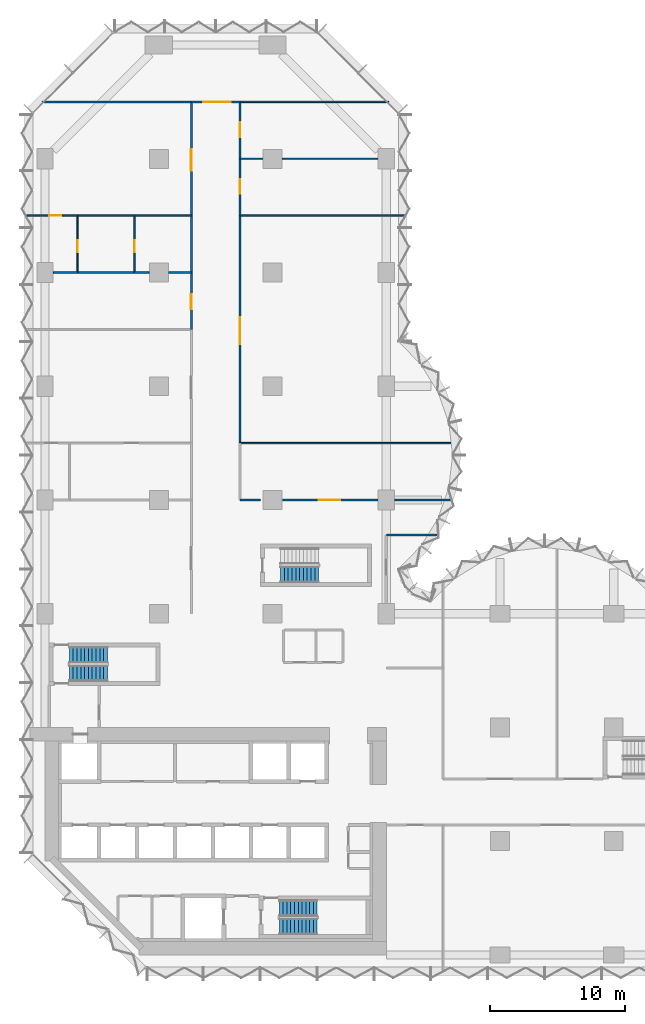
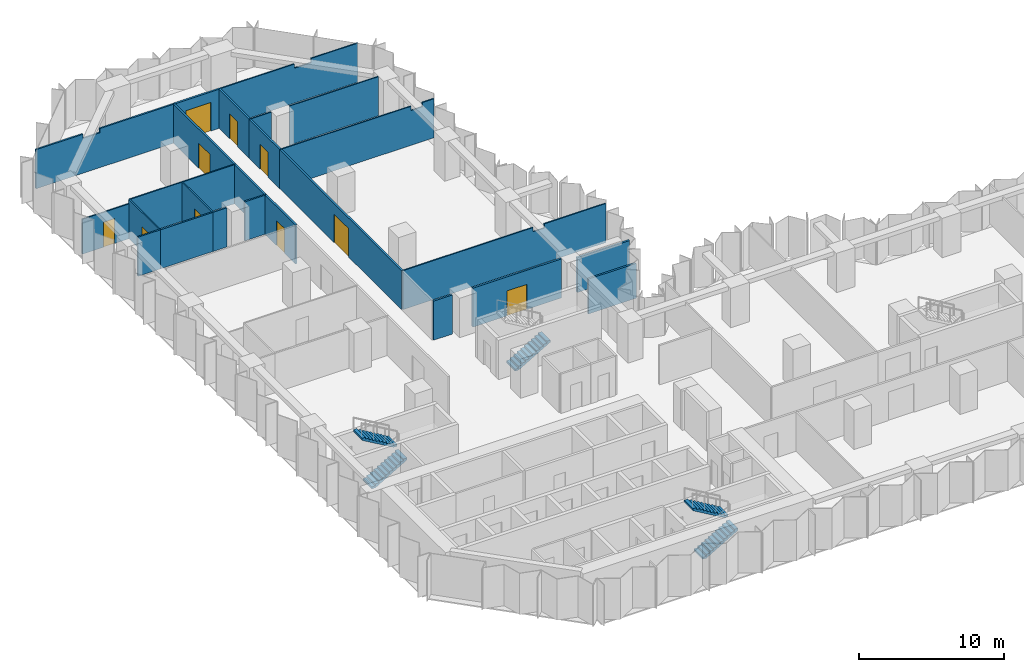
# One storey, part 11 of 15: 26 walls, 10 doors, 5 stair flights, 10 openings, 3 elements without a shape of their own.
"""IFC4 building model written with IfcOpenShell, lengths in metres."""

from ifc_helpers import new_model, si_unit, direction, frame, frame_2d, origin, place, context, subcontext, project, spatial, polyline, rectangle, outline, extrude, material, layer, layer_set, type_object, element, fill, aggregate, save


model = new_model("IFC4")

# Units and contexts
model_context = context("Model", 3, precision=1e-05, world=origin(), true_north=direction((0.0, 1.0)))
body_context = subcontext(model_context, "Body", "Model", "MODEL_VIEW")
ifc_project = project(units=[si_unit("LENGTHUNIT", "METRE"), si_unit("AREAUNIT", "SQUARE_METRE"), si_unit("VOLUMEUNIT", "CUBIC_METRE"), si_unit("PLANEANGLEUNIT", "RADIAN"), si_unit("MASSUNIT", "GRAM", prefix="KILO")], contexts=[model_context])

# Site, building, storey
site_placement = place(None, origin())
site = spatial("IfcSite", under=ifc_project, at=site_placement, CompositionType="ELEMENT")
building_placement = place(site_placement, origin())
building = spatial("IfcBuilding", under=site, at=building_placement, Name="Brevane Broadcast Tower", CompositionType="ELEMENT")
storey_placement = place(building_placement, frame((0.0, 0.0, 83.300048828125)))
storey = spatial("IfcBuildingStorey", under=building, at=storey_placement, Name="L19", CompositionType="ELEMENT", Elevation=83.300048828125)

# Wall
ifc_material_1 = material(Name="Gypsum board partition")
ifc_layer_1 = layer(ifc_material_1, 0.10009765625)
ifc_layer_set_1 = layer_set([ifc_layer_1], Name="PARTITION 100 STUD")
wall_type_1 = type_object("IfcWallType", Name="PARTITION 100 STUD", PredefinedType="PARTITIONING", material=ifc_layer_set_1)
wall_1_placement = place(storey_placement, frame((25.39990234375, 63.0, 0.0), z_axis=(0.0, 0.0, 1.0), x_axis=(-1.0, 0.0, 0.0)))
element("IfcWall", 1, at=wall_1_placement, inside=storey, type_object=wall_type_1, Name="Partition G05-040", PredefinedType="PARTITIONING", context=body_context, shape_type="SweptSolid", body=[
    extrude(outline(polyline([(0.0, 0.0), (11.0, 0.0), (11.0, 3.280029296875), (5.065673828125, 3.280029296875), (5.063720703125, 2.929931640625), (3.736328125, 2.929931640625), (3.734375, 3.280029296875), (0.0, 3.280029296875), (0.0, 0.0)])), frame((0.0, 0.050048828125, 0.0), z_axis=(0.0, -1.0, 0.0), x_axis=(1.0, 0.0, 0.0)), (0.0, 0.0, 1.0), 0.10009765625),
])

# Wall, opening, door
wall_2_placement = place(storey_placement, frame((2.39990234375, 54.60009765625, 0.0), z_axis=(0.0, 0.0, 1.0), x_axis=(-1.0, 0.0, 0.0)))
wall_2 = element("IfcWall", 2, at=wall_2_placement, inside=storey, type_object=wall_type_1, Name="Partition G05-052", PredefinedType="PARTITIONING", context=body_context, shape_type="SweptSolid", body=[
    extrude(rectangle(XDim=3.764892578125, YDim=0.10009765625, at=frame_2d((1.88232421875, 0.0))), origin(), (0.0, 0.0, 1.0), 2.929931640625),
])
opening_1_placement = place(wall_2_placement, frame((1.199951171875, 0.0, 0.0)))
opening_1 = element("IfcOpeningElement", 3, at=opening_1_placement, cuts=wall_2, Name="Opening D11-018", PredefinedType="OPENING", context=body_context, shape_type="SweptSolid", body=[
    extrude(rectangle(XDim=0.89990234375, YDim=2.10009765625, at=frame_2d((0.449951171875, 1.050048828125))), frame((0.0, 0.06005859375, 0.0), z_axis=(0.0, -1.0, 0.0), x_axis=(1.0, 0.0, 0.0)), (0.0, 0.0, 1.0), 0.1201171875),
])
ifc_material_2 = material(Name="Timber door leaf", Category="wood")
door_type_1 = type_object("IfcDoorType", Name="DOOR SINGLE 900 INTERNAL", OperationType="SINGLE_SWING_LEFT", PredefinedType="DOOR", material=ifc_material_2)
door_1_placement = place(opening_1_placement, origin())
door_1 = element("IfcDoor", 4, at=door_1_placement, inside=storey, type_object=door_type_1, Name="Door D11-018", OperationType="SINGLE_SWING_LEFT", OverallHeight=2.10009765625, OverallWidth=0.89990234375, PredefinedType="DOOR", context=body_context, shape_type="SweptSolid", body=[
    extrude(rectangle(XDim=0.89990234375, YDim=2.10009765625, at=frame_2d((0.449951171875, 1.050048828125))), frame((0.0, 0.02490234375, 0.0), z_axis=(0.0, -1.0, 0.0), x_axis=(1.0, 0.0, 0.0)), (0.0, 0.0, 1.0), 0.050048828125),
])
fill(opening_1, door_1)

# Walls
wall_3_placement = place(storey_placement, frame((6.60009765625, 54.60009765625, 0.0), z_axis=(0.0, 0.0, 1.0), x_axis=(-1.0, 0.0, 0.0)))
element("IfcWall", 5, at=wall_3_placement, inside=storey, type_object=wall_type_1, Name="Partition G05-053", PredefinedType="PARTITIONING", context=body_context, shape_type="SweptSolid", body=[
    extrude(rectangle(XDim=4.2001953125, YDim=0.10009765625, at=frame_2d((2.10009765625, 0.0))), origin(), (0.0, 0.0, 1.0), 3.280029296875),
])
wall_4_placement = place(storey_placement, frame((10.800048828125, 54.60009765625, 0.0), z_axis=(0.0, 0.0, 1.0), x_axis=(-1.0, 0.0, 0.0)))
element("IfcWall", 6, at=wall_4_placement, inside=storey, type_object=wall_type_1, Name="Partition G05-054", PredefinedType="PARTITIONING", context=body_context, shape_type="SweptSolid", body=[
    extrude(rectangle(XDim=4.199951171875, YDim=0.10009765625, at=frame_2d((2.10009765625, 0.0))), origin(), (0.0, 0.0, 1.0), 3.280029296875),
])

# Wall, opening, door
wall_5_placement = place(storey_placement, frame((2.39990234375, 54.60009765625, 0.0), z_axis=(0.0, 0.0, 1.0), x_axis=(0.0, -1.0, 0.0)))
wall_5 = element("IfcWall", 7, at=wall_5_placement, inside=storey, type_object=wall_type_1, Name="Partition G05-055", PredefinedType="PARTITIONING", context=body_context, shape_type="SweptSolid", body=[
    extrude(rectangle(XDim=4.2001953125, YDim=0.10009765625, at=frame_2d((2.10009765625, 0.0))), origin(), (0.0, 0.0, 1.0), 3.280029296875),
])
opening_2_placement = place(wall_5_placement, frame((1.800048828125, 0.0, 0.0)))
opening_2 = element("IfcOpeningElement", 8, at=opening_2_placement, cuts=wall_5, Name="Opening D11-019", PredefinedType="OPENING", context=body_context, shape_type="SweptSolid", body=[
    extrude(rectangle(XDim=0.89990234375, YDim=2.10009765625, at=frame_2d((0.449951171875, 1.050048828125))), frame((0.0, 0.06005859375, 0.0), z_axis=(0.0, -1.0, 0.0), x_axis=(1.0, 0.0, 0.0)), (0.0, 0.0, 1.0), 0.1201171875),
])
door_2_placement = place(opening_2_placement, origin())
door_2 = element("IfcDoor", 9, at=door_2_placement, inside=storey, type_object=door_type_1, Name="Door D11-019", OperationType="SINGLE_SWING_LEFT", OverallHeight=2.10009765625, OverallWidth=0.89990234375, PredefinedType="DOOR", context=body_context, shape_type="SweptSolid", body=[
    extrude(rectangle(XDim=0.89990234375, YDim=2.10009765625, at=frame_2d((0.449951171875, 1.050048828125))), frame((0.0, 0.02490234375, 0.0), z_axis=(0.0, -1.0, 0.0), x_axis=(1.0, 0.0, 0.0)), (0.0, 0.0, 1.0), 0.050048828125),
])
fill(opening_2, door_2)

wall_6_placement = place(storey_placement, frame((6.60009765625, 54.60009765625, 0.0), z_axis=(0.0, 0.0, 1.0), x_axis=(0.0, -1.0, 0.0)))
wall_6 = element("IfcWall", 10, at=wall_6_placement, inside=storey, type_object=wall_type_1, Name="Partition G05-056", PredefinedType="PARTITIONING", context=body_context, shape_type="SweptSolid", body=[
    extrude(rectangle(XDim=4.2001953125, YDim=0.10009765625, at=frame_2d((2.10009765625, 0.0))), origin(), (0.0, 0.0, 1.0), 3.280029296875),
])
opening_3_placement = place(wall_6_placement, frame((1.800048828125, 0.0, 0.0)))
opening_3 = element("IfcOpeningElement", 11, at=opening_3_placement, cuts=wall_6, Name="Opening D11-020", PredefinedType="OPENING", context=body_context, shape_type="SweptSolid", body=[
    extrude(rectangle(XDim=0.89990234375, YDim=2.10009765625, at=frame_2d((0.449951171875, 1.050048828125))), frame((0.0, 0.06005859375, 0.0), z_axis=(0.0, -1.0, 0.0), x_axis=(1.0, 0.0, 0.0)), (0.0, 0.0, 1.0), 0.1201171875),
])
door_3_placement = place(opening_3_placement, origin())
door_3 = element("IfcDoor", 12, at=door_3_placement, inside=storey, type_object=door_type_1, Name="Door D11-020", OperationType="SINGLE_SWING_LEFT", OverallHeight=2.10009765625, OverallWidth=0.89990234375, PredefinedType="DOOR", context=body_context, shape_type="SweptSolid", body=[
    extrude(rectangle(XDim=0.89990234375, YDim=2.10009765625, at=frame_2d((0.449951171875, 1.050048828125))), frame((0.0, 0.02490234375, 0.0), z_axis=(0.0, -1.0, 0.0), x_axis=(1.0, 0.0, 0.0)), (0.0, 0.0, 1.0), 0.050048828125),
])
fill(opening_3, door_3)

# Walls
wall_7_placement = place(storey_placement, frame((14.39990234375, 37.800048828125, 0.0), z_axis=(0.0, 0.0, 1.0), x_axis=(1.0, 0.0, 0.0)))
element("IfcWall", 13, at=wall_7_placement, inside=storey, type_object=wall_type_1, Name="Partition G05-057", PredefinedType="PARTITIONING", context=body_context, shape_type="SweptSolid", body=[
    extrude(outline(polyline([(0.0, 0.0), (16.1259765625, 0.0), (16.1259765625, 3.280029296875), (15.8427734375, 3.280029296875), (11.25, 3.280029296875), (11.248046875, 2.929931640625), (10.35205078125, 2.929931640625), (10.35009765625, 3.280029296875), (0.0, 3.280029296875), (0.0, 0.0)])), frame((0.0, 0.050048828125, 0.0), z_axis=(0.0, -1.0, 0.0), x_axis=(1.0, 0.0, 0.0)), (0.0, 0.0, 1.0), 0.10009765625),
])
wall_8_placement = place(storey_placement, frame((14.39990234375, 54.60009765625, 0.0), z_axis=(0.0, 0.0, 1.0), x_axis=(1.0, 0.0, 0.0)))
element("IfcWall", 14, at=wall_8_placement, inside=storey, type_object=wall_type_1, Name="Partition G05-058", PredefinedType="PARTITIONING", context=body_context, shape_type="SweptSolid", body=[
    extrude(outline(polyline([(0.0, 0.0), (12.1650390625, 0.0), (12.1650390625, 3.280029296875), (11.89990234375, 3.280029296875), (11.25, 3.280029296875), (11.248046875, 2.929931640625), (10.35205078125, 2.929931640625), (10.35009765625, 3.280029296875), (0.0, 3.280029296875), (0.0, 0.0)])), frame((0.0, 0.050048828125, 0.0), z_axis=(0.0, -1.0, 0.0), x_axis=(1.0, 0.0, 0.0)), (0.0, 0.0, 1.0), 0.10009765625),
])
wall_9_placement = place(storey_placement, frame((14.39990234375, 58.800048828125, 0.0), z_axis=(0.0, 0.0, 1.0), x_axis=(1.0, 0.0, 0.0)))
element("IfcWall", 15, at=wall_9_placement, inside=storey, type_object=wall_type_1, Name="Partition G05-059", PredefinedType="PARTITIONING", context=body_context, shape_type="SweptSolid", body=[
    extrude(rectangle(XDim=1.68017578125, YDim=0.10009765625, at=frame_2d((0.840087890625, 0.0))), origin(), (0.0, 0.0, 1.0), 3.280029296875),
])
wall_10_placement = place(storey_placement, frame((17.52001953125, 58.800048828125, 0.0), z_axis=(0.0, 0.0, 1.0), x_axis=(1.0, 0.0, 0.0)))
element("IfcWall", 16, at=wall_10_placement, inside=storey, type_object=wall_type_1, Name="Partition G05-060", PredefinedType="PARTITIONING", context=body_context, shape_type="SweptSolid", body=[
    extrude(rectangle(XDim=7.06005859375, YDim=0.10009765625, at=frame_2d((3.530029296875, 0.0))), origin(), (0.0, 0.0, 1.0), 3.280029296875),
])
ifc_layer_2 = layer(ifc_material_1, 0.125)
ifc_layer_set_2 = layer_set([ifc_layer_2], Name="PARTITION 125 ACOUSTIC")
wall_type_2 = type_object("IfcWallType", Name="PARTITION 125 ACOUSTIC", PredefinedType="PARTITIONING", material=ifc_layer_set_2)
wall_11_placement = place(storey_placement, frame((10.800048828125, 63.0, 0.0), z_axis=(0.0, 0.0, 1.0), x_axis=(-1.0, 0.0, 0.0)))
element("IfcWall", 17, at=wall_11_placement, inside=storey, type_object=wall_type_2, Name="Partition G05-039", PredefinedType="PARTITIONING", context=body_context, shape_type="SweptSolid", body=[
    extrude(outline(polyline([(0.0, 0.0), (11.0, 0.0), (11.0, 3.280029296875), (7.278076171875, 3.280029296875), (7.276123046875, 2.929931640625), (5.923828125, 2.929931640625), (5.921875, 3.280029296875), (0.0, 3.280029296875), (0.0, 0.0)])), frame((0.0, 0.0625, 0.0), z_axis=(0.0, -1.0, 0.0), x_axis=(1.0, 0.0, 0.0)), (0.0, 0.0, 1.0), 0.125),
])
wall_12_placement = place(storey_placement, frame((0.6201171875, 50.39990234375, 0.0), z_axis=(0.0, 0.0, 1.0), x_axis=(1.0, 0.0, 0.0)))
element("IfcWall", 18, at=wall_12_placement, inside=storey, type_object=wall_type_2, Name="Partition G05-048", PredefinedType="PARTITIONING", context=body_context, shape_type="SweptSolid", body=[
    extrude(rectangle(XDim=1.77978515625, YDim=0.125, at=frame_2d((0.889892578125, 0.0))), origin(), (0.0, 0.0, 1.0), 3.280029296875),
])
wall_13_placement = place(storey_placement, frame((2.39990234375, 50.39990234375, 0.0), z_axis=(0.0, 0.0, 1.0), x_axis=(1.0, 0.0, 0.0)))
element("IfcWall", 19, at=wall_13_placement, inside=storey, type_object=wall_type_2, Name="Partition G05-049", PredefinedType="PARTITIONING", context=body_context, shape_type="SweptSolid", body=[
    extrude(rectangle(XDim=4.2001953125, YDim=0.125, at=frame_2d((2.10009765625, 0.0))), origin(), (0.0, 0.0, 1.0), 3.280029296875),
])
wall_14_placement = place(storey_placement, frame((6.60009765625, 50.39990234375, 0.0), z_axis=(0.0, 0.0, 1.0), x_axis=(1.0, 0.0, 0.0)))
element("IfcWall", 20, at=wall_14_placement, inside=storey, type_object=wall_type_2, Name="Partition G05-050", PredefinedType="PARTITIONING", context=body_context, shape_type="SweptSolid", body=[
    extrude(rectangle(XDim=1.079833984375, YDim=0.125, at=frame_2d((0.5400390625, 0.0))), origin(), (0.0, 0.0, 1.0), 3.280029296875),
])
wall_15_placement = place(storey_placement, frame((9.1201171875, 50.39990234375, 0.0), z_axis=(0.0, 0.0, 1.0), x_axis=(1.0, 0.0, 0.0)))
element("IfcWall", 21, at=wall_15_placement, inside=storey, type_object=wall_type_2, Name="Partition G05-051", PredefinedType="PARTITIONING", context=body_context, shape_type="SweptSolid", body=[
    extrude(rectangle(XDim=1.679931640625, YDim=0.125, at=frame_2d((0.83984375, 0.0))), origin(), (0.0, 0.0, 1.0), 3.280029296875),
])
ifc_layer_3 = layer(ifc_material_1, 0.14990234375)
ifc_layer_set_3 = layer_set([ifc_layer_3], Name="PARTITION 150 EI 60")
wall_type_3 = type_object("IfcWallType", Name="PARTITION 150 EI 60", PredefinedType="PARTITIONING", material=ifc_layer_set_3)
wall_16_placement = place(storey_placement, frame((25.199951171875, 31.0, 0.0), z_axis=(0.0, 0.0, 1.0), x_axis=(1.0, 0.0, 0.0)))
element("IfcWall", 22, at=wall_16_placement, inside=storey, type_object=wall_type_3, Name="Partition G05-006", PredefinedType="PARTITIONING", context=body_context, shape_type="SweptSolid", body=[
    extrude(rectangle(XDim=3.80615234375, YDim=0.14990234375, at=frame_2d((1.903076171875, 0.0))), origin(), (0.0, 0.0, 1.0), 2.929931640625),
])
wall_17_placement = place(storey_placement, frame((14.39990234375, 33.60009765625, 0.0), z_axis=(0.0, 0.0, 1.0), x_axis=(1.0, 0.0, 0.0)))
element("IfcWall", 23, at=wall_17_placement, inside=storey, type_object=wall_type_3, Name="Partition G05-026", PredefinedType="PARTITIONING", context=body_context, shape_type="SweptSolid", body=[
    extrude(rectangle(XDim=1.5, YDim=0.14990234375, at=frame_2d((0.75, 0.0))), origin(), (0.0, 0.0, 1.0), 3.280029296875),
])

# Wall, opening, door
wall_18_placement = place(storey_placement, frame((17.52001953125, 33.60009765625, 0.0), z_axis=(0.0, 0.0, 1.0), x_axis=(1.0, 0.0, 0.0)))
wall_18 = element("IfcWall", 24, at=wall_18_placement, inside=storey, type_object=wall_type_3, Name="Partition G05-027", PredefinedType="PARTITIONING", context=body_context, shape_type="SweptSolid", body=[
    extrude(rectangle(XDim=7.06005859375, YDim=0.14990234375, at=frame_2d((3.530029296875, 0.0))), origin(), (0.0, 0.0, 1.0), 3.280029296875),
])
opening_4_placement = place(wall_18_placement, frame((2.699951171875, 0.0, 0.0)))
opening_4 = element("IfcOpeningElement", 25, at=opening_4_placement, cuts=wall_18, Name="Opening D11-021", PredefinedType="OPENING", context=body_context, shape_type="SweptSolid", body=[
    extrude(rectangle(XDim=1.60009765625, YDim=2.10009765625, at=frame_2d((0.800048828125, 1.050048828125))), frame((0.0, 0.0849609375, 0.0), z_axis=(0.0, -1.0, 0.0), x_axis=(1.0, 0.0, 0.0)), (0.0, 0.0, 1.0), 0.169921875),
])
ifc_material_3 = material(Name="Fire-rated timber door leaf", Category="wood")
door_type_2 = type_object("IfcDoorType", Name="DOOR DOUBLE 1600 FD30S", OperationType="DOUBLE_DOOR_SINGLE_SWING", PredefinedType="DOOR", material=ifc_material_3)
door_4_placement = place(opening_4_placement, origin())
door_4 = element("IfcDoor", 26, at=door_4_placement, inside=storey, type_object=door_type_2, Name="Door D11-021", OperationType="DOUBLE_DOOR_SINGLE_SWING", OverallHeight=2.10009765625, OverallWidth=1.60009765625, PredefinedType="DOOR", context=body_context, shape_type="SweptSolid", body=[
    extrude(rectangle(XDim=1.60009765625, YDim=2.10009765625, at=frame_2d((0.800048828125, 1.050048828125))), frame((0.0, 0.02490234375, 0.0), z_axis=(0.0, -1.0, 0.0), x_axis=(1.0, 0.0, 0.0)), (0.0, 0.0, 1.0), 0.050048828125),
])
fill(opening_4, door_4)

# Wall
wall_19_placement = place(storey_placement, frame((25.820068359375, 33.60009765625, 0.0), z_axis=(0.0, 0.0, 1.0), x_axis=(1.0, 0.0, 0.0)))
element("IfcWall", 27, at=wall_19_placement, inside=storey, type_object=wall_type_3, Name="Partition G05-028", PredefinedType="PARTITIONING", context=body_context, shape_type="SweptSolid", body=[
    extrude(rectangle(XDim=4.168212890625, YDim=0.14990234375, at=frame_2d((2.083984375, 0.0))), origin(), (0.0, 0.0, 1.0), 2.929931640625),
])

# Wall, opening, door
wall_20_placement = place(storey_placement, frame((10.800048828125, 63.0, 0.0), z_axis=(0.0, 0.0, 1.0), x_axis=(1.0, 0.0, 0.0)))
wall_20 = element("IfcWall", 28, at=wall_20_placement, inside=storey, type_object=wall_type_3, Name="Partition G05-029", PredefinedType="PARTITIONING", context=body_context, shape_type="SweptSolid", body=[
    extrude(rectangle(XDim=3.599853515625, YDim=0.14990234375, at=frame_2d((1.7998046875, 0.0))), origin(), (0.0, 0.0, 1.0), 3.280029296875),
])
opening_5_placement = place(wall_20_placement, frame((0.89990234375, 0.0, 0.0)))
opening_5 = element("IfcOpeningElement", 29, at=opening_5_placement, cuts=wall_20, Name="Opening D11-011", PredefinedType="OPENING", context=body_context, shape_type="SweptSolid", body=[
    extrude(rectangle(XDim=2.0, YDim=2.39990234375, at=frame_2d((1.0, 1.199951171875))), frame((0.0, 0.0849609375, 0.0), z_axis=(0.0, -1.0, 0.0), x_axis=(1.0, 0.0, 0.0)), (0.0, 0.0, 1.0), 0.169921875),
])
door_type_3 = type_object("IfcDoorType", Name="DOOR DOUBLE 2000 FD30S", OperationType="DOUBLE_DOOR_SINGLE_SWING", PredefinedType="DOOR", material=ifc_material_3)
door_5_placement = place(opening_5_placement, origin())
door_5 = element("IfcDoor", 30, at=door_5_placement, inside=storey, type_object=door_type_3, Name="Door D11-011", OperationType="DOUBLE_DOOR_SINGLE_SWING", OverallHeight=2.39990234375, OverallWidth=2.0, PredefinedType="DOOR", context=body_context, shape_type="SweptSolid", body=[
    extrude(rectangle(XDim=2.0, YDim=2.39990234375, at=frame_2d((1.0, 1.199951171875))), frame((0.0, 0.02490234375, 0.0), z_axis=(0.0, -1.0, 0.0), x_axis=(1.0, 0.0, 0.0)), (0.0, 0.0, 1.0), 0.050048828125),
])
fill(opening_5, door_5)

wall_21_placement = place(storey_placement, frame((10.800048828125, 46.199951171875, 0.0), z_axis=(0.0, 0.0, 1.0), x_axis=(0.0, 1.0, 0.0)))
wall_21 = element("IfcWall", 31, at=wall_21_placement, inside=storey, type_object=wall_type_3, Name="Partition G05-032", PredefinedType="PARTITIONING", context=body_context, shape_type="SweptSolid", body=[
    extrude(rectangle(XDim=4.199951171875, YDim=0.14990234375, at=frame_2d((2.10009765625, 0.0))), origin(), (0.0, 0.0, 1.0), 3.280029296875),
])
opening_6_placement = place(wall_21_placement, frame((1.5, 0.0, 0.0)))
opening_6 = element("IfcOpeningElement", 32, at=opening_6_placement, cuts=wall_21, Name="Opening D11-016", PredefinedType="OPENING", context=body_context, shape_type="SweptSolid", body=[
    extrude(rectangle(XDim=1.10009765625, YDim=2.10009765625, at=frame_2d((0.550048828125, 1.050048828125))), frame((0.0, 0.0849609375, 0.0), z_axis=(0.0, -1.0, 0.0), x_axis=(1.0, 0.0, 0.0)), (0.0, 0.0, 1.0), 0.169921875),
])
door_type_4 = type_object("IfcDoorType", Name="DOOR SINGLE 1100 FD30S", OperationType="SINGLE_SWING_LEFT", PredefinedType="DOOR", material=ifc_material_3)
door_6_placement = place(opening_6_placement, origin())
door_6 = element("IfcDoor", 33, at=door_6_placement, inside=storey, type_object=door_type_4, Name="Door D11-016", OperationType="SINGLE_SWING_LEFT", OverallHeight=2.10009765625, OverallWidth=1.10009765625, PredefinedType="DOOR", context=body_context, shape_type="SweptSolid", body=[
    extrude(rectangle(XDim=1.10009765625, YDim=2.10009765625, at=frame_2d((0.550048828125, 1.050048828125))), frame((0.0, 0.02490234375, 0.0), z_axis=(0.0, -1.0, 0.0), x_axis=(1.0, 0.0, 0.0)), (0.0, 0.0, 1.0), 0.050048828125),
])
fill(opening_6, door_6)

wall_22_placement = place(storey_placement, frame((10.800048828125, 54.60009765625, 0.0), z_axis=(0.0, 0.0, 1.0), x_axis=(0.0, 1.0, 0.0)))
wall_22 = element("IfcWall", 34, at=wall_22_placement, inside=storey, type_object=wall_type_3, Name="Partition G05-033", PredefinedType="PARTITIONING", context=body_context, shape_type="SweptSolid", body=[
    extrude(rectangle(XDim=8.39990234375, YDim=0.14990234375, at=frame_2d((4.199951171875, 0.0))), origin(), (0.0, 0.0, 1.0), 3.280029296875),
])
opening_7_placement = place(wall_22_placement, frame((3.300048828125, 0.0, 0.0)))
opening_7 = element("IfcOpeningElement", 35, at=opening_7_placement, cuts=wall_22, Name="Opening D11-017", PredefinedType="OPENING", context=body_context, shape_type="SweptSolid", body=[
    extrude(rectangle(XDim=1.60009765625, YDim=2.10009765625, at=frame_2d((0.800048828125, 1.050048828125))), frame((0.0, 0.0849609375, 0.0), z_axis=(0.0, -1.0, 0.0), x_axis=(1.0, 0.0, 0.0)), (0.0, 0.0, 1.0), 0.169921875),
])
door_7_placement = place(opening_7_placement, origin())
door_7 = element("IfcDoor", 36, at=door_7_placement, inside=storey, type_object=door_type_2, Name="Door D11-017", OperationType="DOUBLE_DOOR_SINGLE_SWING", OverallHeight=2.10009765625, OverallWidth=1.60009765625, PredefinedType="DOOR", context=body_context, shape_type="SweptSolid", body=[
    extrude(rectangle(XDim=1.60009765625, YDim=2.10009765625, at=frame_2d((0.800048828125, 1.050048828125))), frame((0.0, 0.02490234375, 0.0), z_axis=(0.0, -1.0, 0.0), x_axis=(1.0, 0.0, 0.0)), (0.0, 0.0, 1.0), 0.050048828125),
])
fill(opening_7, door_7)

# Wall
wall_23_placement = place(storey_placement, frame((10.800048828125, 50.39990234375, 0.0), z_axis=(0.0, 0.0, 1.0), x_axis=(0.0, 1.0, 0.0)))
element("IfcWall", 37, at=wall_23_placement, inside=storey, type_object=wall_type_3, Name="Partition G05-034", PredefinedType="PARTITIONING", context=body_context, shape_type="SweptSolid", body=[
    extrude(rectangle(XDim=4.2001953125, YDim=0.14990234375, at=frame_2d((2.10009765625, 0.0))), origin(), (0.0, 0.0, 1.0), 3.280029296875),
])

# Wall, opening, door
wall_24_placement = place(storey_placement, frame((14.39990234375, 54.60009765625, 0.0), z_axis=(0.0, 0.0, 1.0), x_axis=(0.0, -1.0, 0.0)))
wall_24 = element("IfcWall", 38, at=wall_24_placement, inside=storey, type_object=wall_type_3, Name="Partition G05-036", PredefinedType="PARTITIONING", context=body_context, shape_type="SweptSolid", body=[
    extrude(rectangle(XDim=16.800048828125, YDim=0.14990234375, at=frame_2d((8.39990234375, 0.0))), origin(), (0.0, 0.0, 1.0), 3.280029296875),
])
opening_8_placement = place(wall_24_placement, frame((7.5, 0.0, 0.0)))
opening_8 = element("IfcOpeningElement", 39, at=opening_8_placement, cuts=wall_24, Name="Opening D11-022", PredefinedType="OPENING", context=body_context, shape_type="SweptSolid", body=[
    extrude(rectangle(XDim=2.0, YDim=2.39990234375, at=frame_2d((1.0, 1.199951171875))), frame((0.0, 0.0849609375, 0.0), z_axis=(0.0, -1.0, 0.0), x_axis=(1.0, 0.0, 0.0)), (0.0, 0.0, 1.0), 0.169921875),
])
door_8_placement = place(opening_8_placement, origin())
door_8 = element("IfcDoor", 40, at=door_8_placement, inside=storey, type_object=door_type_3, Name="Door D11-022", OperationType="DOUBLE_DOOR_SINGLE_SWING", OverallHeight=2.39990234375, OverallWidth=2.0, PredefinedType="DOOR", context=body_context, shape_type="SweptSolid", body=[
    extrude(rectangle(XDim=2.0, YDim=2.39990234375, at=frame_2d((1.0, 1.199951171875))), frame((0.0, 0.02490234375, 0.0), z_axis=(0.0, -1.0, 0.0), x_axis=(1.0, 0.0, 0.0)), (0.0, 0.0, 1.0), 0.050048828125),
])
fill(opening_8, door_8)

wall_25_placement = place(storey_placement, frame((14.39990234375, 58.800048828125, 0.0), z_axis=(0.0, 0.0, 1.0), x_axis=(0.0, -1.0, 0.0)))
wall_25 = element("IfcWall", 41, at=wall_25_placement, inside=storey, type_object=wall_type_3, Name="Partition G05-037", PredefinedType="PARTITIONING", context=body_context, shape_type="SweptSolid", body=[
    extrude(rectangle(XDim=4.199951171875, YDim=0.14990234375, at=frame_2d((2.10009765625, 0.0))), origin(), (0.0, 0.0, 1.0), 3.280029296875),
])
opening_9_placement = place(wall_25_placement, frame((1.5, 0.0, 0.0)))
opening_9 = element("IfcOpeningElement", 42, at=opening_9_placement, cuts=wall_25, Name="Opening D11-023", PredefinedType="OPENING", context=body_context, shape_type="SweptSolid", body=[
    extrude(rectangle(XDim=1.10009765625, YDim=2.10009765625, at=frame_2d((0.550048828125, 1.050048828125))), frame((0.0, 0.0849609375, 0.0), z_axis=(0.0, -1.0, 0.0), x_axis=(1.0, 0.0, 0.0)), (0.0, 0.0, 1.0), 0.169921875),
])
door_9_placement = place(opening_9_placement, origin())
door_9 = element("IfcDoor", 43, at=door_9_placement, inside=storey, type_object=door_type_4, Name="Door D11-023", OperationType="SINGLE_SWING_LEFT", OverallHeight=2.10009765625, OverallWidth=1.10009765625, PredefinedType="DOOR", context=body_context, shape_type="SweptSolid", body=[
    extrude(rectangle(XDim=1.10009765625, YDim=2.10009765625, at=frame_2d((0.550048828125, 1.050048828125))), frame((0.0, 0.02490234375, 0.0), z_axis=(0.0, -1.0, 0.0), x_axis=(1.0, 0.0, 0.0)), (0.0, 0.0, 1.0), 0.050048828125),
])
fill(opening_9, door_9)

wall_26_placement = place(storey_placement, frame((14.39990234375, 63.0, 0.0), z_axis=(0.0, 0.0, 1.0), x_axis=(0.0, -1.0, 0.0)))
wall_26 = element("IfcWall", 44, at=wall_26_placement, inside=storey, type_object=wall_type_3, Name="Partition G05-038", PredefinedType="PARTITIONING", context=body_context, shape_type="SweptSolid", body=[
    extrude(rectangle(XDim=4.199951171875, YDim=0.14990234375, at=frame_2d((2.10009765625, 0.0))), origin(), (0.0, 0.0, 1.0), 3.280029296875),
])
opening_10_placement = place(wall_26_placement, frame((1.5, 0.0, 0.0)))
opening_10 = element("IfcOpeningElement", 45, at=opening_10_placement, cuts=wall_26, Name="Opening D11-024", PredefinedType="OPENING", context=body_context, shape_type="SweptSolid", body=[
    extrude(rectangle(XDim=1.10009765625, YDim=2.10009765625, at=frame_2d((0.550048828125, 1.050048828125))), frame((0.0, 0.0849609375, 0.0), z_axis=(0.0, -1.0, 0.0), x_axis=(1.0, 0.0, 0.0)), (0.0, 0.0, 1.0), 0.169921875),
])
door_10_placement = place(opening_10_placement, origin())
door_10 = element("IfcDoor", 46, at=door_10_placement, inside=storey, type_object=door_type_4, Name="Door D11-024", OperationType="SINGLE_SWING_LEFT", OverallHeight=2.10009765625, OverallWidth=1.10009765625, PredefinedType="DOOR", context=body_context, shape_type="SweptSolid", body=[
    extrude(rectangle(XDim=1.10009765625, YDim=2.10009765625, at=frame_2d((0.550048828125, 1.050048828125))), frame((0.0, 0.02490234375, 0.0), z_axis=(0.0, -1.0, 0.0), x_axis=(1.0, 0.0, 0.0)), (0.0, 0.0, 1.0), 0.050048828125),
])
fill(opening_10, door_10)

# Stair, stair flights
ifc_material_4 = material(Name="Concrete C50/60", Category="concrete")
stair_type = type_object("IfcStairType", Name="Exit stair 22 risers", PredefinedType="HALF_TURN_STAIR", material=ifc_material_4)
stair_1_placement = place(storey_placement, origin())
stair_1 = element("IfcStair", 47, at=stair_1_placement, inside=storey, type_object=stair_type, Name="L19 Exit stair ST-1", PredefinedType="HALF_TURN_STAIR")
stair_flight_type = type_object("IfcStairFlightType", Name="Exit stair flight 22 risers", PredefinedType="STRAIGHT", material=ifc_material_4)
stair_flight_1_placement = place(storey_placement, frame((1.800048828125, 20.800048828125, 0.0), z_axis=(0.0, 0.0, 1.0), x_axis=(1.0, 0.0, 0.0)))
stair_flight_1 = element("IfcStairFlight", 48, at=stair_flight_1_placement, type_object=stair_flight_type, Name="ST-1 flight 1", NumberOfRisers=11, NumberOfTreads=10, PredefinedType="STRAIGHT", RiserHeight=0.163636364, TreadLength=0.28, context=body_context, shape_type="SweptSolid", body=[
    extrude(outline(polyline([(0.0, 0.0), (0.0, 0.16357421875), (0.280029296875, 0.16357421875), (0.280029296875, 0.327392578125), (0.56005859375, 0.327392578125), (0.56005859375, 0.490966796875), (0.840087890625, 0.490966796875), (0.840087890625, 0.654541015625), (1.1201171875, 0.654541015625), (1.1201171875, 0.818115234375), (1.39990234375, 0.818115234375), (1.39990234375, 0.98193359375), (1.679931640625, 0.98193359375), (1.679931640625, 1.1455078125), (1.9599609375, 1.1455078125), (1.9599609375, 1.30908203125), (2.239990234375, 1.30908203125), (2.239990234375, 1.47265625), (2.52001953125, 1.47265625), (2.52001953125, 1.636474609375), (2.800048828125, 1.636474609375), (2.800048828125, 1.800048828125), (2.800048828125, 1.462646484375), (0.297119140625, 0.0), (0.0, 0.0)])), frame((0.0, 0.60009765625, 0.0), z_axis=(0.0, -1.0, 0.0), x_axis=(1.0, 0.0, 0.0)), (0.0, 0.0, 1.0), 1.199951171875),
])
stair_flight_2_placement = place(storey_placement, frame((4.60009765625, 22.14990234375, 1.800048828125), z_axis=(0.0, 0.0, 1.0), x_axis=(-1.0, 0.0, 0.0)))
stair_flight_2 = element("IfcStairFlight", 49, at=stair_flight_2_placement, type_object=stair_flight_type, Name="ST-1 flight 2", NumberOfRisers=11, NumberOfTreads=10, PredefinedType="STRAIGHT", RiserHeight=0.163636364, TreadLength=0.28, context=body_context, shape_type="SweptSolid", body=[
    extrude(outline(polyline([(0.0, 0.0), (0.0, 0.16357421875), (0.280029296875, 0.16357421875), (0.280029296875, 0.327392578125), (0.56005859375, 0.327392578125), (0.56005859375, 0.490966796875), (0.840087890625, 0.490966796875), (0.840087890625, 0.654541015625), (1.1201171875, 0.654541015625), (1.1201171875, 0.818115234375), (1.39990234375, 0.818115234375), (1.39990234375, 0.98193359375), (1.679931640625, 0.98193359375), (1.679931640625, 1.1455078125), (1.9599609375, 1.1455078125), (1.9599609375, 1.30908203125), (2.239990234375, 1.30908203125), (2.239990234375, 1.47265625), (2.52001953125, 1.47265625), (2.52001953125, 1.636474609375), (2.800048828125, 1.636474609375), (2.800048828125, 1.800048828125), (2.800048828125, 1.462646484375), (0.297119140625, 0.0), (0.0, 0.0)])), frame((0.0, 0.60009765625, 0.0), z_axis=(0.0, -1.0, 0.0), x_axis=(1.0, 0.0, 0.0)), (0.0, 0.0, 1.0), 1.199951171875),
])
aggregate(stair_1, [stair_flight_1, stair_flight_2])

stair_2_placement = place(storey_placement, origin())
stair_2 = element("IfcStair", 50, at=stair_2_placement, inside=storey, type_object=stair_type, Name="L19 Exit stair ST-2", PredefinedType="HALF_TURN_STAIR")
stair_flight_3_placement = place(storey_placement, frame((17.300048828125, 2.10009765625, 0.0), z_axis=(0.0, 0.0, 1.0), x_axis=(1.0, 0.0, 0.0)))
stair_flight_3 = element("IfcStairFlight", 51, at=stair_flight_3_placement, type_object=stair_flight_type, Name="ST-2 flight 1", NumberOfRisers=11, NumberOfTreads=10, PredefinedType="STRAIGHT", RiserHeight=0.163636364, TreadLength=0.28, context=body_context, shape_type="SweptSolid", body=[
    extrude(outline(polyline([(0.0, 0.0), (0.0, 0.16357421875), (0.280029296875, 0.16357421875), (0.280029296875, 0.327392578125), (0.56005859375, 0.327392578125), (0.56005859375, 0.490966796875), (0.840087890625, 0.490966796875), (0.840087890625, 0.654541015625), (1.1201171875, 0.654541015625), (1.1201171875, 0.818115234375), (1.39990234375, 0.818115234375), (1.39990234375, 0.98193359375), (1.679931640625, 0.98193359375), (1.679931640625, 1.1455078125), (1.9599609375, 1.1455078125), (1.9599609375, 1.30908203125), (2.239990234375, 1.30908203125), (2.239990234375, 1.47265625), (2.52001953125, 1.47265625), (2.52001953125, 1.636474609375), (2.800048828125, 1.636474609375), (2.800048828125, 1.800048828125), (2.800048828125, 1.462646484375), (0.297119140625, 0.0), (0.0, 0.0)])), frame((0.0, 0.60009765625, 0.0), z_axis=(0.0, -1.0, 0.0), x_axis=(1.0, 0.0, 0.0)), (0.0, 0.0, 1.0), 1.199951171875),
])
stair_flight_4_placement = place(storey_placement, frame((20.10009765625, 3.449951171875, 1.800048828125), z_axis=(0.0, 0.0, 1.0), x_axis=(-1.0, 0.0, 0.0)))
stair_flight_4 = element("IfcStairFlight", 52, at=stair_flight_4_placement, type_object=stair_flight_type, Name="ST-2 flight 2", NumberOfRisers=11, NumberOfTreads=10, PredefinedType="STRAIGHT", RiserHeight=0.163636364, TreadLength=0.28, context=body_context, shape_type="SweptSolid", body=[
    extrude(outline(polyline([(0.0, 0.0), (0.0, 0.16357421875), (0.280029296875, 0.16357421875), (0.280029296875, 0.327392578125), (0.56005859375, 0.327392578125), (0.56005859375, 0.490966796875), (0.840087890625, 0.490966796875), (0.840087890625, 0.654541015625), (1.1201171875, 0.654541015625), (1.1201171875, 0.818115234375), (1.39990234375, 0.818115234375), (1.39990234375, 0.98193359375), (1.679931640625, 0.98193359375), (1.679931640625, 1.1455078125), (1.9599609375, 1.1455078125), (1.9599609375, 1.30908203125), (2.239990234375, 1.30908203125), (2.239990234375, 1.47265625), (2.52001953125, 1.47265625), (2.52001953125, 1.636474609375), (2.800048828125, 1.636474609375), (2.800048828125, 1.800048828125), (2.800048828125, 1.462646484375), (0.297119140625, 0.0), (0.0, 0.0)])), frame((0.0, 0.60009765625, 0.0), z_axis=(0.0, -1.0, 0.0), x_axis=(1.0, 0.0, 0.0)), (0.0, 0.0, 1.0), 1.199951171875),
])
aggregate(stair_2, [stair_flight_3, stair_flight_4])

# Stair, stair flight
stair_3_placement = place(storey_placement, origin())
stair_3 = element("IfcStair", 53, at=stair_3_placement, inside=storey, type_object=stair_type, Name="L19 Exit stair ST-3", PredefinedType="HALF_TURN_STAIR")
stair_flight_5_placement = place(storey_placement, frame((17.39990234375, 28.10009765625, 0.0), z_axis=(0.0, 0.0, 1.0), x_axis=(1.0, 0.0, 0.0)))
stair_flight_5 = element("IfcStairFlight", 54, at=stair_flight_5_placement, type_object=stair_flight_type, Name="ST-3 flight 1", NumberOfRisers=11, NumberOfTreads=10, PredefinedType="STRAIGHT", RiserHeight=0.163636364, TreadLength=0.28, context=body_context, shape_type="SweptSolid", body=[
    extrude(outline(polyline([(0.0, 0.0), (0.0, 0.16357421875), (0.280029296875, 0.16357421875), (0.280029296875, 0.327392578125), (0.56005859375, 0.327392578125), (0.56005859375, 0.490966796875), (0.840087890625, 0.490966796875), (0.840087890625, 0.654541015625), (1.1201171875, 0.654541015625), (1.1201171875, 0.818115234375), (1.39990234375, 0.818115234375), (1.39990234375, 0.98193359375), (1.679931640625, 0.98193359375), (1.679931640625, 1.1455078125), (1.9599609375, 1.1455078125), (1.9599609375, 1.30908203125), (2.239990234375, 1.30908203125), (2.239990234375, 1.47265625), (2.52001953125, 1.47265625), (2.52001953125, 1.636474609375), (2.800048828125, 1.636474609375), (2.800048828125, 1.800048828125), (2.800048828125, 1.462646484375), (0.297119140625, 0.0), (0.0, 0.0)])), frame((0.0, 0.60009765625, 0.0), z_axis=(0.0, -1.0, 0.0), x_axis=(1.0, 0.0, 0.0)), (0.0, 0.0, 1.0), 1.199951171875),
])
aggregate(stair_3, [stair_flight_5])

save(model, "model.ifc")
